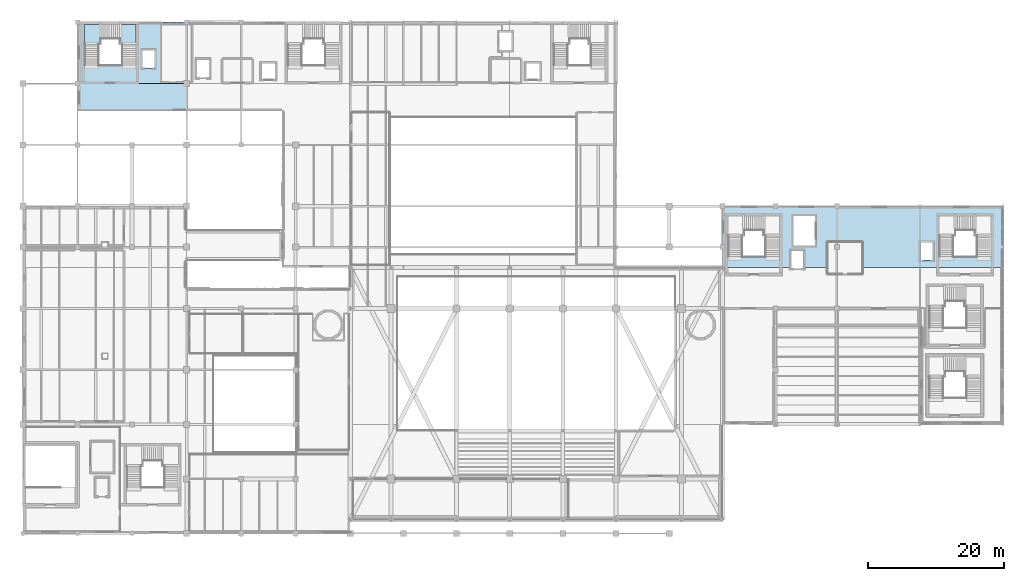
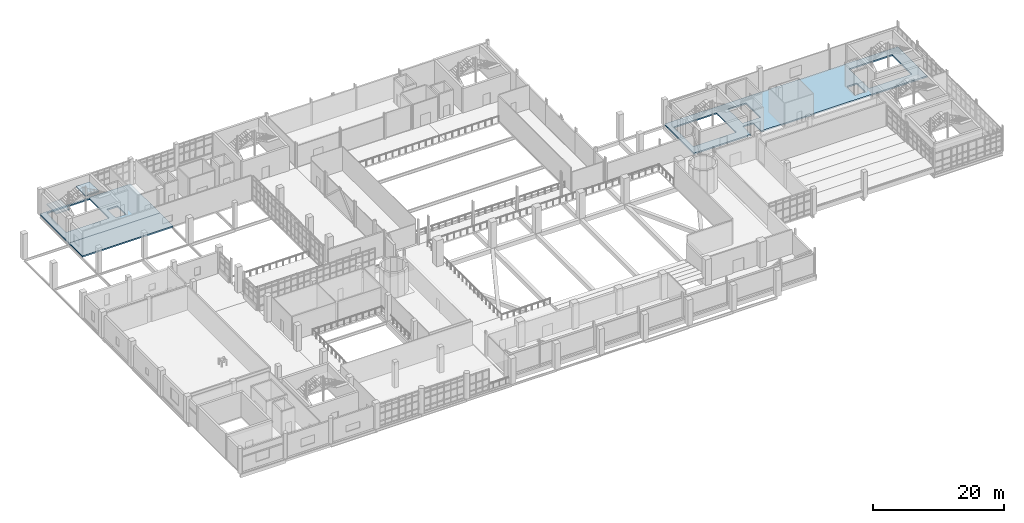
# One storey, part 71 of 100: 5 slabs, 1 element without a shape of its own.
"""IFC4 building model written with IfcOpenShell, lengths in metres."""

from ifc_helpers import new_model, si_unit, derived_unit, direction, frame, origin, place, context, subcontext, project, spatial, polyline, outline, extrude, material, layer, layer_set, type_object, element, aggregate, save


model = new_model("IFC4")

# Units and contexts
model_context = context("Model", 3, precision=1e-05, world=origin(), true_north=direction((0.0, 1.0)))
body_context = subcontext(model_context, "Body", "Model", "MODEL_VIEW")
ifc_project = project(units=[si_unit("LENGTHUNIT", "METRE"), si_unit("AREAUNIT", "SQUARE_METRE"), si_unit("VOLUMEUNIT", "CUBIC_METRE"), si_unit("PLANEANGLEUNIT", "RADIAN"), si_unit("MASSUNIT", "GRAM", prefix="KILO"), derived_unit("THERMALTRANSMITTANCEUNIT", [(si_unit("POWERUNIT", "WATT"), 1), (si_unit("LENGTHUNIT", "METRE"), -2), (si_unit("THERMODYNAMICTEMPERATUREUNIT", "KELVIN"), -1)])], contexts=[model_context])

# Site, building, storey
site_placement = place(None, origin())
site = spatial("IfcSite", under=ifc_project, at=site_placement, CompositionType="ELEMENT")
building_placement = place(site_placement, origin())
building = spatial("IfcBuilding", under=site, at=building_placement, Name="Nallur Shell Playhouse", CompositionType="ELEMENT")
storey_placement = place(building_placement, frame((0.0, 0.0, 10.199951171875)))
storey = spatial("IfcBuildingStorey", under=building, at=storey_placement, Name="L03", CompositionType="ELEMENT", Elevation=10.199951171875)

# Slabs
ifc_material_1 = material(Name="Concrete M30", Category="concrete")
ifc_layer_1 = layer(ifc_material_1, 0.260009765625)
ifc_layer_set_1 = layer_set([ifc_layer_1], Name="Concrete M30")
slab_type_1 = type_object("IfcSlabType", Name="SL-FLOOR-260", PredefinedType="FLOOR", material=ifc_layer_set_1)
slab_1_placement = place(storey_placement, frame((0.0, 0.0, -0.260009765625)))
element("IfcSlab", 1, at=slab_1_placement, inside=storey, type_object=slab_type_1, Name="L03 structural floor slab panel 04", PredefinedType="FLOOR", context=body_context, shape_type="SweptSolid", body=[
    extrude(outline(polyline([(24.0, 70.0), (24.0, 74.0), (40.0, 74.0), (40.0, 70.0), (24.0, 70.0)])), origin(), (0.0, 0.0, 1.0), 0.260009765625),
])
slab_2_placement = place(storey_placement, frame((0.0, 0.0, -0.260009765625)))
element("IfcSlab", 2, at=slab_2_placement, inside=storey, type_object=slab_type_1, Name="L03 structural floor slab panel 05", PredefinedType="FLOOR", context=body_context, shape_type="SweptSolid", body=[
    extrude(outline(polyline([(24.0, 83.0), (40.0, 83.0), (40.0, 74.0), (24.0, 74.0), (24.0, 83.0)]), holes=[polyline([(35.300048828125, 78.89990234375), (33.5, 78.89990234375), (33.5, 76.300048828125), (35.300048828125, 76.300048828125), (35.300048828125, 78.89990234375)]), polyline([(32.60009765625, 82.699951171875), (25.0, 82.699951171875), (25.0, 76.699951171875), (32.60009765625, 76.699951171875), (32.60009765625, 82.699951171875)])]), origin(), (0.0, 0.0, 1.0), 0.260009765625),
])
slab_3_placement = place(storey_placement, frame((0.0, 0.0, -0.260009765625)))
element("IfcSlab", 3, at=slab_3_placement, inside=storey, type_object=slab_type_1, Name="L03 structural floor slab panel 20", PredefinedType="FLOOR", context=body_context, shape_type="SweptSolid", body=[
    extrude(outline(polyline([(118.60009765625, 56.0), (159.800048828125, 56.0), (159.800048828125, 47.0), (130.5, 47.0), (130.5, 49.5), (128.699951171875, 49.5), (128.699951171875, 47.0), (118.60009765625, 47.0), (118.60009765625, 56.0)]), holes=[polyline([(147.699951171875, 50.699951171875), (147.699951171875, 48.10009765625), (149.5, 48.10009765625), (149.5, 50.699951171875), (147.699951171875, 50.699951171875)]), polyline([(127.0, 48.60009765625), (127.0, 54.60009765625), (119.39990234375, 54.60009765625), (119.39990234375, 48.60009765625), (127.0, 48.60009765625)]), polyline([(158.0, 48.60009765625), (158.0, 54.60009765625), (150.39990234375, 54.60009765625), (150.39990234375, 48.60009765625), (158.0, 48.60009765625)]), polyline([(129.0, 54.60009765625), (129.0, 50.199951171875), (132.199951171875, 50.199951171875), (132.199951171875, 54.60009765625), (129.0, 54.60009765625)])]), origin(), (0.0, 0.0, 1.0), 0.260009765625),
])

# Stair, slabs
ifc_material_2 = material(Name="Concrete M35", Category="concrete")
stair_type = type_object("IfcStairType", Name="ST-CORE-48", PredefinedType="QUARTER_TURN_STAIR", material=ifc_material_2)
stair_placement = place(storey_placement, origin())
stair = element("IfcStair", 4, at=stair_placement, inside=storey, type_object=stair_type, Name="Core JC-6 exit stair ST-06-L03 (L03 to L04)", PredefinedType="QUARTER_TURN_STAIR")
ifc_layer_2 = layer(ifc_material_2, 0.199951171875)
ifc_layer_set_2 = layer_set([ifc_layer_2], Name="Concrete M35")
slab_type_2 = type_object("IfcSlabType", Name="SL-LANDING-200", PredefinedType="LANDING", material=ifc_layer_set_2)
slab_4_placement = place(storey_placement, frame((0.0, 0.0, 1.449951171875)))
slab_4 = element("IfcSlab", 5, at=slab_4_placement, type_object=slab_type_2, Name="ST-48 landing 1", PredefinedType="LANDING", context=body_context, shape_type="SweptSolid", body=[
    extrude(outline(polyline([(25.0, 79.800048828125), (27.405029296875, 79.800048828125), (27.405029296875, 82.699951171875), (25.0, 82.699951171875), (25.0, 79.800048828125)])), origin(), (0.0, 0.0, 1.0), 0.2001953125),
])
slab_5_placement = place(storey_placement, frame((0.0, 0.0, 2.949951171875)))
slab_5 = element("IfcSlab", 6, at=slab_5_placement, type_object=slab_type_2, Name="ST-48 landing 2", PredefinedType="LANDING", context=body_context, shape_type="SweptSolid", body=[
    extrude(outline(polyline([(30.195068359375, 79.800048828125), (32.60009765625, 79.800048828125), (32.60009765625, 82.699951171875), (30.195068359375, 82.699951171875), (30.195068359375, 79.800048828125)])), origin(), (0.0, 0.0, 1.0), 0.2001953125),
])
aggregate(stair, [slab_4, slab_5])

save(model, "model.ifc")
